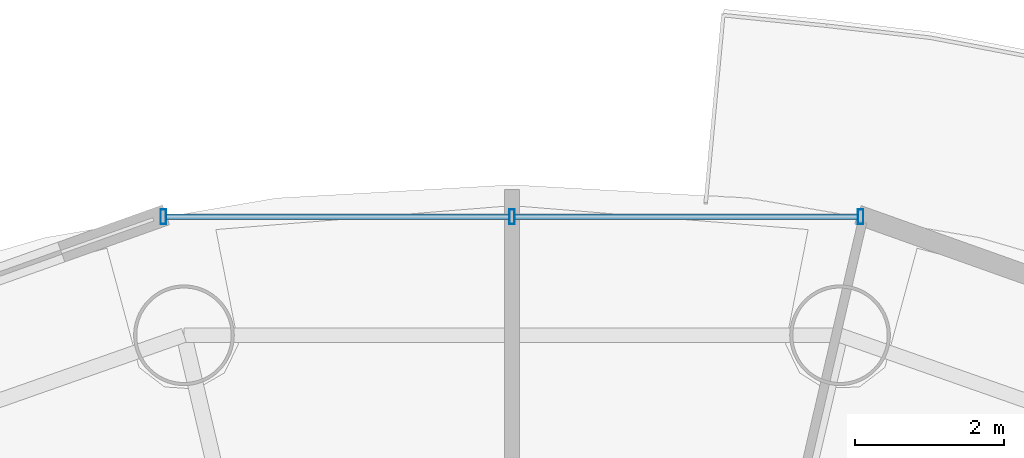
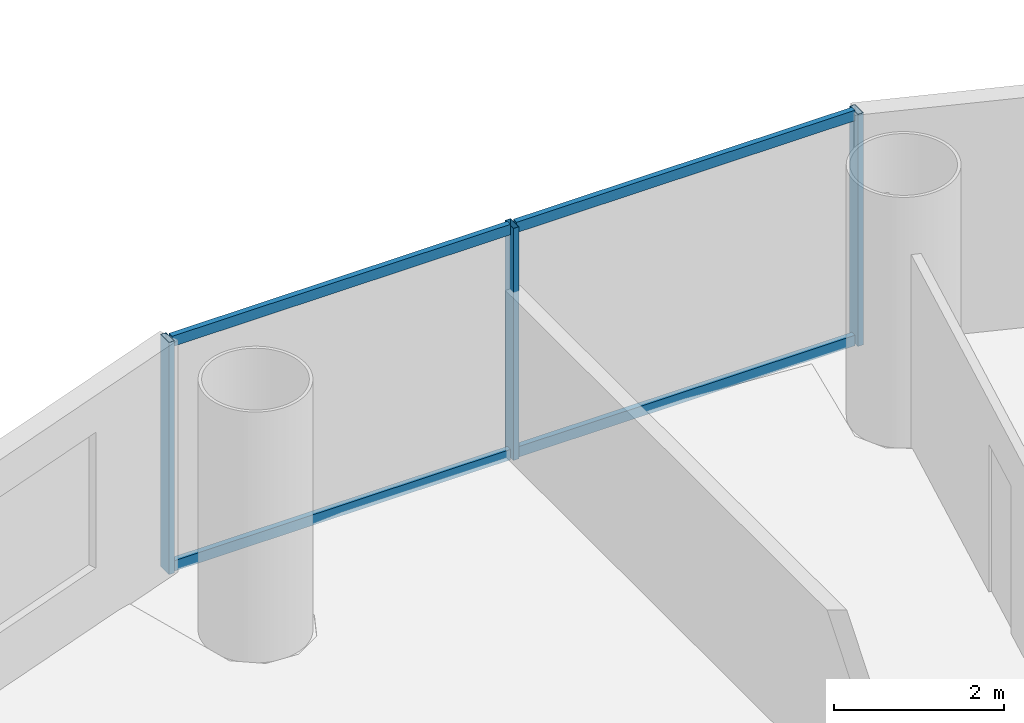
# One storey, part 16 of 26: 7 members, 1 element without a shape of its own.
"""IFC4 building model written with IfcOpenShell, lengths in metres."""

from ifc_helpers import new_model, si_unit, direction, frame, origin, origin_2d, place, context, subcontext, project, spatial, hollow_rectangle, extrude, source, transform, mapped, material, material_profile, profile_set, type_object, element, aggregate, save


model = new_model("IFC4")

# Units and contexts
model_context = context("Model", 3, precision=1e-05, world=origin(), true_north=direction((-0.2419218956, 0.970295726276)))
body_context = subcontext(model_context, "Body", "Model", "MODEL_VIEW")
ifc_project = project(units=[si_unit("LENGTHUNIT", "METRE"), si_unit("AREAUNIT", "SQUARE_METRE"), si_unit("VOLUMEUNIT", "CUBIC_METRE"), si_unit("PLANEANGLEUNIT", "RADIAN"), si_unit("MASSUNIT", "GRAM", prefix="KILO")], contexts=[model_context])

# Site, building, storey
site_placement = place(None, origin())
site = spatial("IfcSite", under=ifc_project, at=site_placement, CompositionType="ELEMENT")
building_placement = place(site_placement, origin())
building = spatial("IfcBuilding", under=site, at=building_placement, Name="Cobrevalo Terracotta Tower", CompositionType="ELEMENT")
storey_placement = place(building_placement, frame((0.0, 0.0, 142.60009765625)))
storey = spatial("IfcBuildingStorey", under=building, at=storey_placement, Name="L37", CompositionType="ELEMENT", Elevation=142.60009765625)

# Curtain wall, members
ifc_material = material(Name="Anodized aluminium", Category="aluminium")
curtain_wall_type = type_object("IfcCurtainWallType", Name="Mid-tower high-wind unitised curtain wall CW-U2", PredefinedType="NOTDEFINED", material=ifc_material)
curtain_wall_placement = place(storey_placement, origin())
curtain_wall = element("IfcCurtainWall", 1, at=curtain_wall_placement, inside=storey, type_object=curtain_wall_type, Name="L37 curtain wall CW-L37-S04", PredefinedType="NOTDEFINED")
ifc_material_profile_1 = material_profile(ifc_material, hollow_rectangle(XDim=0.074951171875, YDim=0.14990234375, WallThickness=0.00439453125, at=origin_2d()), Name="CWT 75x150")
ifc_profile_set_1 = profile_set([ifc_material_profile_1], Name="Anodized aluminium")
member_type_1 = type_object("IfcMemberType", Name="Tower unitised aluminium transom 75x150", PredefinedType="USERDEFINED", material=ifc_profile_set_1)
shared_shape_1 = source(origin(), body_context, "Body", "SweptSolid", [
    extrude(hollow_rectangle(XDim=0.074951171875, YDim=0.14990234375, WallThickness=0.00439453125, at=origin_2d()), origin(), (0.0, 0.0, 1.0), 4.59521484375),
])
member_1_placement = place(storey_placement, frame((42.63525390625, 47.1708984375, 0.0498046875), z_axis=(-1.0, 0.0, 0.0), x_axis=(0.0, -1.0, 0.0)))
member_1 = element("IfcMember", 2, at=member_1_placement, type_object=member_type_1, Name="CW-L37-S04 transom B01-T1", ObjectType="TRANSOM", PredefinedType="USERDEFINED", context=body_context, shape_type="MappedRepresentation", body=[
    mapped(shared_shape_1, transform((0.0, 0.0, 0.0), scale=1.0)),
])
member_2_placement = place(storey_placement, frame((42.63525390625, 47.1708984375, 3.27978515625), z_axis=(-1.0, 0.0, 0.0), x_axis=(0.0, -1.0, 0.0)))
member_2 = element("IfcMember", 3, at=member_2_placement, type_object=member_type_1, Name="CW-L37-S04 transom B01-T2", ObjectType="TRANSOM", PredefinedType="USERDEFINED", context=body_context, shape_type="MappedRepresentation", body=[
    mapped(shared_shape_1, transform((0.0, 0.0, 0.0), scale=1.0)),
])
member_3_placement = place(storey_placement, frame((37.9599609375, 47.1708984375, 0.0498046875), z_axis=(-1.0, 0.0, 0.0), x_axis=(0.0, -1.0, 0.0)))
member_3 = element("IfcMember", 4, at=member_3_placement, type_object=member_type_1, Name="CW-L37-S04 transom B02-T1", ObjectType="TRANSOM", PredefinedType="USERDEFINED", context=body_context, shape_type="MappedRepresentation", body=[
    mapped(shared_shape_1, transform((0.0, 0.0, 0.0), scale=1.0)),
])
member_4_placement = place(storey_placement, frame((37.9599609375, 47.1708984375, 3.27978515625), z_axis=(-1.0, 0.0, 0.0), x_axis=(0.0, -1.0, 0.0)))
member_4 = element("IfcMember", 5, at=member_4_placement, type_object=member_type_1, Name="CW-L37-S04 transom B02-T2", ObjectType="TRANSOM", PredefinedType="USERDEFINED", context=body_context, shape_type="MappedRepresentation", body=[
    mapped(shared_shape_1, transform((0.0, 0.0, 0.0), scale=1.0)),
])
ifc_material_profile_2 = material_profile(ifc_material, hollow_rectangle(XDim=0.074951171875, YDim=0.199951171875, WallThickness=0.0048828125, at=origin_2d()), Name="CWM 75x200")
ifc_profile_set_2 = profile_set([ifc_material_profile_2], Name="Anodized aluminium")
member_type_2 = type_object("IfcMemberType", Name="Lower/mid tower unitised mullion 75x200", PredefinedType="MULLION", material=ifc_profile_set_2)
shared_shape_2 = source(origin(), body_context, "Body", "SweptSolid", [
    extrude(hollow_rectangle(XDim=0.074951171875, YDim=0.199951171875, WallThickness=0.0048828125, at=origin_2d()), origin(), (0.0, 0.0, 1.0), 3.329833984375),
])
member_5_placement = place(storey_placement, frame((42.67529296875, 47.1708984375, 0.0), z_axis=(0.0, 0.0, 1.0), x_axis=(-1.0, 0.0, 0.0)))
member_5 = element("IfcMember", 6, at=member_5_placement, type_object=member_type_2, Name="CW-L37-S04 vertical mullion 01", PredefinedType="MULLION", context=body_context, shape_type="MappedRepresentation", body=[
    mapped(shared_shape_2, transform((0.0, 0.0, 0.0), scale=1.0)),
])
member_6_placement = place(storey_placement, frame((38.0, 47.1708984375, 0.0), z_axis=(0.0, 0.0, 1.0), x_axis=(-1.0, 0.0, 0.0)))
member_6 = element("IfcMember", 7, at=member_6_placement, type_object=member_type_2, Name="CW-L37-S04 vertical mullion 02", PredefinedType="MULLION", context=body_context, shape_type="MappedRepresentation", body=[
    mapped(shared_shape_2, transform((0.0, 0.0, 0.0), scale=1.0)),
])
member_7_placement = place(storey_placement, frame((33.32470703125, 47.1708984375, 0.0), z_axis=(0.0, 0.0, 1.0), x_axis=(-1.0, 0.0, 0.0)))
member_7 = element("IfcMember", 8, at=member_7_placement, type_object=member_type_2, Name="CW-L37-S04 vertical mullion 03", PredefinedType="MULLION", context=body_context, shape_type="MappedRepresentation", body=[
    mapped(shared_shape_2, transform((0.0, 0.0, 0.0), scale=1.0)),
])
aggregate(curtain_wall, [member_5, member_6, member_7, member_1, member_2, member_3, member_4])

save(model, "model.ifc")
